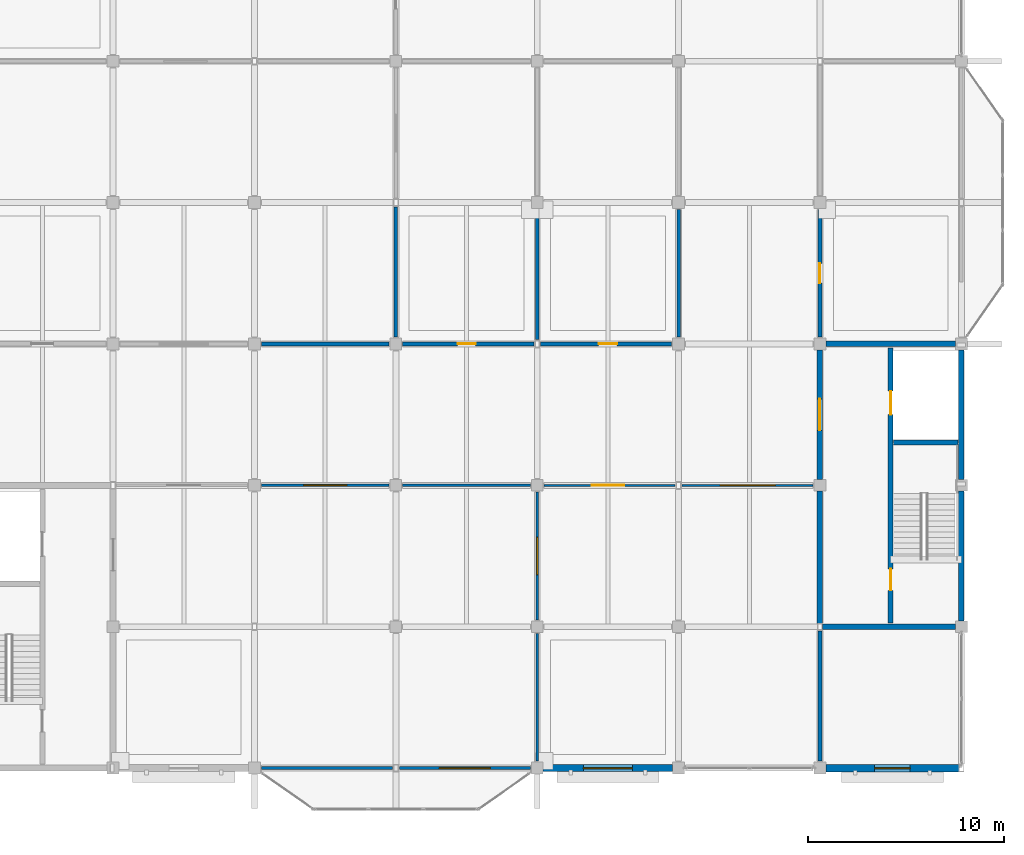
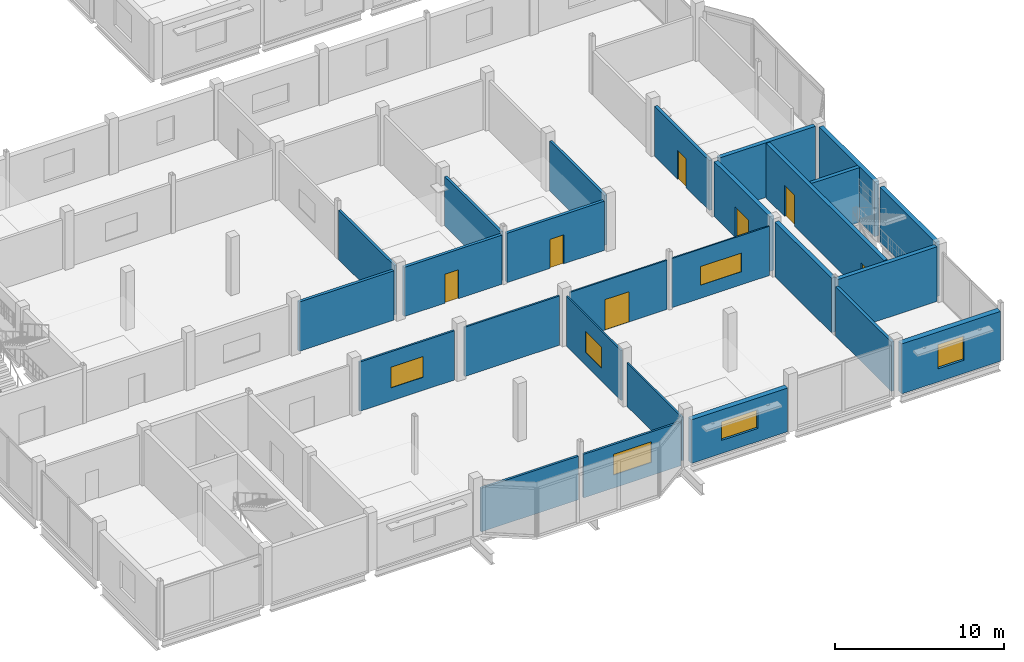
# One storey, part 38 of 51: 26 walls, 7 doors, 6 windows, 13 openings.
"""IFC4 building model written with IfcOpenShell, lengths in metres."""

import ifcopenshell
import ifcopenshell.guid

model = None  # the IFC model being written
_history = None  # IfcOwnerHistory: only IFC2X3 demands one
_inside = {}  # id of a spatial element -> (the spatial element, [elements in it])
_under = {}  # id of a project, library or spatial element -> (it, [spatial elements below it])
_declared = {}  # id of a project -> (the project, [libraries it declares])
_typed = {}  # id of a type object -> (the type object, [elements of that type])
_made_of = {}  # id of a material, layer set ... -> (it, [elements and type objects made of it])


def new_model(schema):
    """Start an empty IFC model of exactly this schema.

    Asked for "IFC4X3", IfcOpenShell would pick the latest addendum, in which some entities
    have other attributes; the version numbers below select the first issue.
    IFC2X3 requires an IfcOwnerHistory on every rooted entity: one is made here for all.
    """
    global model, _history
    if schema == "IFC4X3":
        model = ifcopenshell.file(schema_version=(4, 3, 0, 0))
    else:
        model = ifcopenshell.file(schema=schema)
    _inside.clear()
    _under.clear()
    _declared.clear()
    _typed.clear()
    _made_of.clear()
    _history = None
    if model.schema == "IFC2X3":
        org = make("IfcOrganization", Name="unknown")
        user = make(
            "IfcPersonAndOrganization",
            ThePerson=make("IfcPerson", FamilyName="unknown"),
            TheOrganization=org,
        )
        app = make(
            "IfcApplication",
            ApplicationDeveloper=org,
            Version="unknown",
            ApplicationFullName="unknown",
            ApplicationIdentifier="unknown",
        )
        _history = make(
            "IfcOwnerHistory",
            OwningUser=user,
            OwningApplication=app,
            ChangeAction="ADDED",
            CreationDate=0,
        )
    return model


def make(cls, **values):
    """One entity of the class cls with the attributes given. An attribute that is None is left unset."""
    return model.create_entity(
        cls, **{name: value for name, value in values.items() if value is not None}
    )


def rooted(cls, **values):
    """An entity with a GlobalId (a new one), such as an element, a storey or a relation."""
    return make(cls, GlobalId=ifcopenshell.guid.new(), OwnerHistory=_history, **values)


def si_unit(unit_type, name, prefix=None):
    """IfcSIUnit, for example si_unit("LENGTHUNIT", "METRE", prefix="MILLI")."""
    return make("IfcSIUnit", UnitType=unit_type, Prefix=prefix, Name=name)


def assignment(units):
    """IfcUnitAssignment: the units of a project."""
    return None if units is None else make("IfcUnitAssignment", Units=units)


def point(xyz):
    """IfcCartesianPoint."""
    return None if xyz is None else make("IfcCartesianPoint", Coordinates=xyz)


def direction(xyz):
    """IfcDirection."""
    return None if xyz is None else make("IfcDirection", DirectionRatios=xyz)


def frame(location, z_axis=None, x_axis=None):
    """IfcAxis2Placement3D, a coordinate frame: its origin and axes. An axis left out is left unset."""
    return make(
        "IfcAxis2Placement3D",
        Location=point(location),
        Axis=direction(z_axis),
        RefDirection=direction(x_axis),
    )


def frame_2d(location, x_axis=None):
    """IfcAxis2Placement2D, a coordinate frame in the plane: its origin and x axis."""
    return make(
        "IfcAxis2Placement2D", Location=point(location), RefDirection=direction(x_axis)
    )


def origin():
    """The frame at (0, 0, 0) with its axes left unset."""
    return frame((0.0, 0.0, 0.0))


def place(relative_to, where):
    """IfcLocalPlacement: puts the frame where relative to a parent placement (None: the world)."""
    return make(
        "IfcLocalPlacement", PlacementRelTo=relative_to, RelativePlacement=where
    )


def context(
    kind, dimensions, precision=None, world=None, true_north=None, identifier=None
):
    """IfcGeometricRepresentationContext, for example the 3D "Model" context."""
    return make(
        "IfcGeometricRepresentationContext",
        ContextIdentifier=identifier,
        ContextType=kind,
        CoordinateSpaceDimension=dimensions,
        Precision=precision,
        WorldCoordinateSystem=world,
        TrueNorth=true_north,
    )


def subcontext(parent, identifier, kind, view, scale=None):
    """IfcGeometricRepresentationSubContext, for example "Body" below "Model"."""
    return make(
        "IfcGeometricRepresentationSubContext",
        ContextIdentifier=identifier,
        ContextType=kind,
        ParentContext=parent,
        TargetScale=scale,
        TargetView=view,
    )


def project(units=None, contexts=None):
    """IfcProject with its units and contexts."""
    return rooted(
        "IfcProject",
        Name="project",
        RepresentationContexts=contexts,
        UnitsInContext=assignment(units),
    )


def spatial(cls, under=None, at=None, **own):
    """A site, building, storey or space (cls), placed at a placement, below another one or the project."""
    s = rooted(cls, ObjectPlacement=at, **own)
    if under is not None:
        _under.setdefault(under.id(), (under, []))[1].append(s)
    return s


def profile(cls, at=None, kind="AREA", **sizes):
    """A parametric profile (cls). Its sizes go by their IFC names, for example OverallWidth=200.0."""
    return make(cls, ProfileType=kind, Position=at, **sizes)


def rectangle(**sizes):
    """IfcRectangleProfileDef."""
    return profile("IfcRectangleProfileDef", **sizes)


def extrude(swept, where, along, depth):
    """IfcExtrudedAreaSolid: the profile swept, set in the frame where, extruded along a direction by depth."""
    return make(
        "IfcExtrudedAreaSolid",
        SweptArea=swept,
        Position=where,
        ExtrudedDirection=direction(along),
        Depth=depth,
    )


def shape(context_of_items, identifier, shape_type, items):
    """IfcShapeRepresentation: the items that make up one representation, for example the "Body"."""
    return make(
        "IfcShapeRepresentation",
        ContextOfItems=context_of_items,
        RepresentationIdentifier=identifier,
        RepresentationType=shape_type,
        Items=items,
    )


def material(Name=None, Category=None):
    """IfcMaterial."""
    return make("IfcMaterial", Name=Name, Category=Category)


def layer(
    of_material, thickness, ventilated=None, Name=None, Category=None, Priority=None
):
    """IfcMaterialLayer: one layer of a wall or slab, of a material (None: an air gap)."""
    return make(
        "IfcMaterialLayer",
        Material=of_material,
        LayerThickness=thickness,
        IsVentilated=ventilated,
        Name=Name,
        Category=Category,
        Priority=Priority,
    )


def layer_set(layers, Name=None):
    """IfcMaterialLayerSet."""
    return make("IfcMaterialLayerSet", MaterialLayers=layers, LayerSetName=Name)


def made_of(thing, what):
    """Note that an element or type object is made of a material, layer set ...; save() writes the relation."""
    if what is not None:
        _made_of.setdefault(what.id(), (what, []))[1].append(thing)
    return thing


def type_object(cls, material=None, **own):
    """A type object (cls), such as IfcWallType, which elements share."""
    return made_of(rooted(cls, **own), material)


def element(
    cls,
    number,
    at=None,
    inside=None,
    cuts=None,
    type_object=None,
    material=None,
    context=None,
    identifier="Body",
    shape_type=None,
    held_by="IfcProductDefinitionShape",
    body=None,
    shapes=None,
    **own,
):
    """One element of the class cls, such as IfcWall. Its Tag is "e" and its number.

    at: its placement. inside: the storey or other place that contains it. cuts: it is an
    opening in that element (IfcRelVoidsElement). A single representation is given by context,
    identifier, shape_type and body (its items); several are given by shapes. held_by: the class
    of the entity that holds the representations. save() writes the other relations.
    """
    e = rooted(cls, Tag="e%d" % number, ObjectPlacement=at, **own)
    if body is not None:
        shapes = [shape(context, identifier, shape_type, body)]
    if shapes is not None:
        e.Representation = make(held_by, Representations=shapes)
    if inside is not None:
        _inside.setdefault(inside.id(), (inside, []))[1].append(e)
    if cuts is not None:
        rooted(
            "IfcRelVoidsElement", RelatingBuildingElement=cuts, RelatedOpeningElement=e
        )
    if type_object is not None:
        _typed.setdefault(type_object.id(), (type_object, []))[1].append(e)
    return made_of(e, material)


def fill(opening, filler):
    """IfcRelFillsElement: the door or window that sits in an opening."""
    return rooted(
        "IfcRelFillsElement",
        RelatingOpeningElement=opening,
        RelatedBuildingElement=filler,
    )


def aggregate(whole, parts):
    """IfcRelAggregates: a whole, such as a stair, and the parts it consists of."""
    return rooted("IfcRelAggregates", RelatingObject=whole, RelatedObjects=parts)


def save(model, path):
    """Write the relations noted so far, then the file.

    IfcRelAggregates (storeys below a building ...), IfcRelContainedInSpatialStructure (elements
    in a storey), IfcRelDefinesByType, IfcRelAssociatesMaterial and IfcRelDeclares: one each for
    every whole, place, type object, material and project.
    """
    for whole, parts in _under.values():
        aggregate(whole, parts)
    for where, things in _inside.values():
        rooted(
            "IfcRelContainedInSpatialStructure",
            RelatedElements=things,
            RelatingStructure=where,
        )
    for kind, things in _typed.values():
        rooted("IfcRelDefinesByType", RelatedObjects=things, RelatingType=kind)
    for what, things in _made_of.values():
        rooted("IfcRelAssociatesMaterial", RelatedObjects=things, RelatingMaterial=what)
    for by, libraries in _declared.values():
        rooted("IfcRelDeclares", RelatingContext=by, RelatedDefinitions=libraries)
    model.write(path)


model = new_model("IFC4")

# Units and contexts
model_context = context("Model", 3, precision=1e-05, world=origin(), true_north=direction((0.0, 1.0)))
body_context = subcontext(model_context, "Body", "Model", "MODEL_VIEW")
ifc_project = project(units=[si_unit("LENGTHUNIT", "METRE"), si_unit("AREAUNIT", "SQUARE_METRE"), si_unit("VOLUMEUNIT", "CUBIC_METRE"), si_unit("PLANEANGLEUNIT", "RADIAN"), si_unit("MASSUNIT", "GRAM", prefix="KILO")], contexts=[model_context])

# Site, building, storey
site_placement = place(None, origin())
site = spatial("IfcSite", under=ifc_project, at=site_placement, CompositionType="ELEMENT")
building_placement = place(site_placement, origin())
building = spatial("IfcBuilding", under=site, at=building_placement, Name="Vesperath Aquatics Centre", CompositionType="ELEMENT")
storey_placement = place(building_placement, frame((0.0, 0.0, 15.0)))
storey = spatial("IfcBuildingStorey", under=building, at=storey_placement, Name="L03", CompositionType="ELEMENT", Elevation=15.0)

# Wall, opening, window
ifc_material_1 = material(Name="Red-terracotta brick insulated cavity wall", Category="masonry")
ifc_layer_1 = layer(ifc_material_1, 0.3798828125)
ifc_layer_set_1 = layer_set([ifc_layer_1], Name="Red-terracotta brick insulated cavity wall")
wall_type_1 = type_object("IfcWallType", Name="WL-EW02", PredefinedType="SOLIDWALL", material=ifc_layer_set_1)
wall_1_placement = place(storey_placement, frame((165.89990234375, 0.0, 0.0), z_axis=(0.0, 0.0, 1.0), x_axis=(1.0, 0.0, 0.0)))
wall_1 = element("IfcWall", 1, at=wall_1_placement, inside=storey, type_object=wall_type_1, Name="Exterior Wall EW02 L03_S_23_00", PredefinedType="SOLIDWALL", context=body_context, shape_type="SweptSolid", body=[
    extrude(rectangle(XDim=6.775146484375, YDim=0.3798828125, at=frame_2d((3.3876953125, 0.0))), origin(), (0.0, 0.0, 1.0), 3.6201171875),
])
opening_1_placement = place(wall_1_placement, frame((2.488037109375, 0.0, 0.949951171875)))
opening_1 = element("IfcOpeningElement", 2, at=opening_1_placement, cuts=wall_1, Name="Opening W12", PredefinedType="OPENING", context=body_context, shape_type="SweptSolid", body=[
    extrude(rectangle(XDim=1.800048828125, YDim=1.75, at=frame_2d((0.89990234375, 0.875))), frame((0.0, 0.204833984375, 0.0), z_axis=(0.0, -1.0, 0.0), x_axis=(1.0, 0.0, 0.0)), (0.0, 0.0, 1.0), 0.40966796875),
])
ifc_material_2 = material(Name="Thermally broken aluminium triple-glazed window", Category="aluminium")
window_type_1 = type_object("IfcWindowType", Name="WN-W12", PartitioningType="SINGLE_PANEL", PredefinedType="WINDOW", material=ifc_material_2)
window_1_placement = place(opening_1_placement, origin())
window_1 = element("IfcWindow", 3, at=window_1_placement, inside=storey, type_object=window_type_1, Name="Deep-Reveal Casement Window W12 L03_S_23_00", OverallHeight=1.75, OverallWidth=1.800048828125, PartitioningType="SINGLE_PANEL", PredefinedType="WINDOW", context=body_context, shape_type="SweptSolid", body=[
    extrude(rectangle(XDim=1.800048828125, YDim=1.75, at=frame_2d((0.89990234375, 0.875))), frame((0.0, 0.030029296875, 0.0), z_axis=(0.0, -1.0, 0.0), x_axis=(1.0, 0.0, 0.0)), (0.0, 0.0, 1.0), 0.06005859375),
])
fill(opening_1, window_1)

ifc_material_3 = material(Name="Glazed majolica and brick insulated cavity wall", Category="masonry")
ifc_layer_2 = layer(ifc_material_3, 0.360107421875)
ifc_layer_set_2 = layer_set([ifc_layer_2], Name="Glazed majolica and brick insulated cavity wall")
wall_type_2 = type_object("IfcWallType", Name="WL-EW03", PredefinedType="SOLIDWALL", material=ifc_layer_set_2)
wall_2_placement = place(storey_placement, frame((151.5, 0.0, 0.0), z_axis=(0.0, 0.0, 1.0), x_axis=(1.0, 0.0, 0.0)))
wall_2 = element("IfcWall", 4, at=wall_2_placement, inside=storey, type_object=wall_type_2, Name="Exterior Wall EW03 L03_S_21_00", PredefinedType="SOLIDWALL", context=body_context, shape_type="SweptSolid", body=[
    extrude(rectangle(XDim=6.60009765625, YDim=0.360107421875, at=frame_2d((3.300048828125, 0.0))), origin(), (0.0, 0.0, 1.0), 3.159912109375),
])
opening_2_placement = place(wall_2_placement, frame((2.050048828125, 0.0, 0.949951171875)))
opening_2 = element("IfcOpeningElement", 5, at=opening_2_placement, cuts=wall_2, Name="Opening W16", PredefinedType="OPENING", context=body_context, shape_type="SweptSolid", body=[
    extrude(rectangle(XDim=2.5, YDim=1.35009765625, at=frame_2d((1.25, 0.675048828125))), frame((0.0, 0.19482421875, 0.0), z_axis=(0.0, -1.0, 0.0), x_axis=(1.0, 0.0, 0.0)), (0.0, 0.0, 1.0), 0.389892578125),
])
window_type_2 = type_object("IfcWindowType", Name="WN-W16", PartitioningType="SINGLE_PANEL", PredefinedType="WINDOW", material=ifc_material_2)
window_2_placement = place(opening_2_placement, origin())
window_2 = element("IfcWindow", 6, at=window_2_placement, inside=storey, type_object=window_type_2, Name="Deep-Reveal Casement Window W16 L03_S_21_00", OverallHeight=1.35009765625, OverallWidth=2.5, PartitioningType="SINGLE_PANEL", PredefinedType="WINDOW", context=body_context, shape_type="SweptSolid", body=[
    extrude(rectangle(XDim=2.5, YDim=1.35009765625, at=frame_2d((1.25, 0.675048828125))), frame((0.0, 0.030029296875, 0.0), z_axis=(0.0, -1.0, 0.0), x_axis=(1.0, 0.0, 0.0)), (0.0, 0.0, 1.0), 0.06005859375),
])
fill(opening_2, window_2)

# Wall
ifc_material_4 = material(Name="Wet-village masonry block wall", Category="masonry")
ifc_layer_3 = layer(ifc_material_4, 0.199951171875)
ifc_layer_set_3 = layer_set([ifc_layer_3], Name="Wet-village masonry block wall")
wall_type_3 = type_object("IfcWallType", Name="WL-FW03", PredefinedType="SOLIDWALL", material=ifc_layer_set_3)
wall_3_placement = place(storey_placement, frame((137.14990234375, 21.60009765625, 0.0), z_axis=(0.0, 0.0, 1.0), x_axis=(1.0, 0.0, 0.0)))
element("IfcWall", 7, at=wall_3_placement, inside=storey, type_object=wall_type_3, Name="Interior Partition FW03 L03_BIOMECH-S3", PredefinedType="SOLIDWALL", context=body_context, shape_type="SweptSolid", body=[
    extrude(rectangle(XDim=6.5, YDim=0.199951171875, at=frame_2d((3.25, 0.0))), origin(), (0.0, 0.0, 1.0), 3.570068359375),
])

# Wall, opening, door
wall_4_placement = place(storey_placement, frame((144.35009765625, 21.60009765625, 0.0), z_axis=(0.0, 0.0, 1.0), x_axis=(1.0, 0.0, 0.0)))
wall_4 = element("IfcWall", 8, at=wall_4_placement, inside=storey, type_object=wall_type_3, Name="Interior Partition FW03 L03_MWC-S1", PredefinedType="SOLIDWALL", context=body_context, shape_type="SweptSolid", body=[
    extrude(rectangle(XDim=6.6748046875, YDim=0.199951171875, at=frame_2d((3.33740234375, 0.0))), origin(), (0.0, 0.0, 1.0), 3.570068359375),
])
opening_3_placement = place(wall_4_placement, frame((2.7900390625, 0.0, 0.0)))
opening_3 = element("IfcOpeningElement", 9, at=opening_3_placement, cuts=wall_4, Name="Opening D08", PredefinedType="OPENING", context=body_context, shape_type="SweptSolid", body=[
    extrude(rectangle(XDim=0.919921875, YDim=2.10009765625, at=frame_2d((0.4599609375, 1.050048828125))), frame((0.0, 0.11474609375, 0.0), z_axis=(0.0, -1.0, 0.0), x_axis=(1.0, 0.0, 0.0)), (0.0, 0.0, 1.0), 0.229736328125),
])
ifc_material_5 = material(Name="Moisture-resistant HPL washroom door", Category="wood")
door_type_1 = type_object("IfcDoorType", Name="DR-WC03", OperationType="NOTDEFINED", PredefinedType="DOOR", material=ifc_material_5)
door_1_placement = place(opening_3_placement, origin())
door_1 = element("IfcDoor", 10, at=door_1_placement, inside=storey, type_object=door_type_1, Name="Public Male WC L03 Door D08", OperationType="SINGLE_SWING_LEFT", OverallHeight=2.10009765625, OverallWidth=0.919921875, PredefinedType="DOOR", context=body_context, shape_type="SweptSolid", body=[
    extrude(rectangle(XDim=0.919921875, YDim=2.10009765625, at=frame_2d((0.4599609375, 1.050048828125))), frame((0.0, 0.02490234375, 0.0), z_axis=(0.0, -1.0, 0.0), x_axis=(1.0, 0.0, 0.0)), (0.0, 0.0, 1.0), 0.050048828125),
])
fill(opening_3, door_1)

wall_5_placement = place(storey_placement, frame((151.375, 21.60009765625, 0.0), z_axis=(0.0, 0.0, 1.0), x_axis=(1.0, 0.0, 0.0)))
wall_5 = element("IfcWall", 11, at=wall_5_placement, inside=storey, type_object=wall_type_3, Name="Interior Partition FW03 L03_FWC-S1", PredefinedType="SOLIDWALL", context=body_context, shape_type="SweptSolid", body=[
    extrude(rectangle(XDim=6.675048828125, YDim=0.199951171875, at=frame_2d((3.33740234375, 0.0))), origin(), (0.0, 0.0, 1.0), 3.570068359375),
])
opening_4_placement = place(wall_5_placement, frame((2.949951171875, 0.0, 0.0)))
opening_4 = element("IfcOpeningElement", 12, at=opening_4_placement, cuts=wall_5, Name="Opening D07", PredefinedType="OPENING", context=body_context, shape_type="SweptSolid", body=[
    extrude(rectangle(XDim=0.949951171875, YDim=2.10009765625, at=frame_2d((0.47509765625, 1.050048828125))), frame((0.0, 0.11474609375, 0.0), z_axis=(0.0, -1.0, 0.0), x_axis=(1.0, 0.0, 0.0)), (0.0, 0.0, 1.0), 0.229736328125),
])
ifc_material_6 = material(Name="Moisture-resistant HPL sanitary door", Category="wood")
door_type_2 = type_object("IfcDoorType", Name="DR-WC02", OperationType="NOTDEFINED", PredefinedType="DOOR", material=ifc_material_6)
door_2_placement = place(opening_4_placement, origin())
door_2 = element("IfcDoor", 13, at=door_2_placement, inside=storey, type_object=door_type_2, Name="Public Female WC L03 Door D07", OperationType="SINGLE_SWING_RIGHT", OverallHeight=2.10009765625, OverallWidth=0.949951171875, PredefinedType="DOOR", context=body_context, shape_type="SweptSolid", body=[
    extrude(rectangle(XDim=0.949951171875, YDim=2.10009765625, at=frame_2d((0.47509765625, 1.050048828125))), frame((0.0, 0.02490234375, 0.0), z_axis=(0.0, -1.0, 0.0), x_axis=(1.0, 0.0, 0.0)), (0.0, 0.0, 1.0), 0.050048828125),
])
fill(opening_4, door_2)

wall_6_placement = place(storey_placement, frame((165.60009765625, 21.949951171875, 0.0), z_axis=(0.0, 0.0, 1.0), x_axis=(0.0, 1.0, 0.0)))
wall_6 = element("IfcWall", 14, at=wall_6_placement, inside=storey, type_object=wall_type_3, Name="Interior Partition FW03 L03_AWC-W1", PredefinedType="SOLIDWALL", context=body_context, shape_type="SweptSolid", body=[
    extrude(rectangle(XDim=6.5, YDim=0.199951171875, at=frame_2d((3.25, 0.0))), origin(), (0.0, 0.0, 1.0), 3.6201171875),
])
opening_5_placement = place(wall_6_placement, frame((2.75, 0.0, 0.0)))
opening_5 = element("IfcOpeningElement", 15, at=opening_5_placement, cuts=wall_6, Name="Opening D06", PredefinedType="OPENING", context=body_context, shape_type="SweptSolid", body=[
    extrude(rectangle(XDim=1.0, YDim=2.10009765625, at=frame_2d((0.5, 1.050048828125))), frame((0.0, 0.11474609375, 0.0), z_axis=(0.0, -1.0, 0.0), x_axis=(1.0, 0.0, 0.0)), (0.0, 0.0, 1.0), 0.229736328125),
])
ifc_material_7 = material(Name="Moisture-resistant HPL accessible toilet door", Category="wood")
door_type_3 = type_object("IfcDoorType", Name="DR-WC01", OperationType="NOTDEFINED", PredefinedType="DOOR", material=ifc_material_7)
door_3_placement = place(opening_5_placement, frame((1.0, 0.0, 0.0), z_axis=(0.0, 0.0, 1.0), x_axis=(-1.0, 0.0, 0.0)))
door_3 = element("IfcDoor", 16, at=door_3_placement, inside=storey, type_object=door_type_3, Name="Accessible WC L03 Door D06", OperationType="SINGLE_SWING_LEFT", OverallHeight=2.10009765625, OverallWidth=1.0, PredefinedType="DOOR", context=body_context, shape_type="SweptSolid", body=[
    extrude(rectangle(XDim=1.0, YDim=2.10009765625, at=frame_2d((0.5, 1.050048828125))), frame((0.0, 0.02490234375, 0.0), z_axis=(0.0, -1.0, 0.0), x_axis=(1.0, 0.0, 0.0)), (0.0, 0.0, 1.0), 0.050048828125),
])
fill(opening_5, door_3)

# Walls
ifc_material_8 = material(Name="Moisture-resistant tiled wet partition", Category="gypsum")
ifc_layer_4 = layer(ifc_material_8, 0.175048828125)
ifc_layer_set_4 = layer_set([ifc_layer_4], Name="Moisture-resistant tiled wet partition")
wall_type_4 = type_object("IfcWallType", Name="WL-IW02", PredefinedType="PARTITIONING", material=ifc_layer_set_4)
wall_7_placement = place(storey_placement, frame((151.199951171875, 21.824951171875, 0.0), z_axis=(0.0, 0.0, 1.0), x_axis=(0.0, 1.0, 0.0)))
element("IfcWall", 17, at=wall_7_placement, inside=storey, type_object=wall_type_4, Name="Interior Partition IW02 L03_MWC-E1", PredefinedType="PARTITIONING", context=body_context, shape_type="SweptSolid", body=[
    extrude(rectangle(XDim=6.625, YDim=0.175048828125, at=frame_2d((3.3125, 0.0))), origin(), (0.0, 0.0, 1.0), 3.570068359375),
])
wall_8_placement = place(storey_placement, frame((158.39990234375, 21.949951171875, 0.0), z_axis=(0.0, 0.0, 1.0), x_axis=(0.0, 1.0, 0.0)))
element("IfcWall", 18, at=wall_8_placement, inside=storey, type_object=wall_type_4, Name="Interior Partition IW02 L03_FWC-E1", PredefinedType="PARTITIONING", context=body_context, shape_type="SweptSolid", body=[
    extrude(rectangle(XDim=6.5, YDim=0.175048828125, at=frame_2d((3.25, 0.0))), origin(), (0.0, 0.0, 1.0), 3.6201171875),
])
ifc_material_9 = material(Name="Corridor fire-rated gypsum partition", Category="gypsum")
ifc_layer_5 = layer(ifc_material_9, 0.16796875)
ifc_layer_set_5 = layer_set([ifc_layer_5], Name="Corridor fire-rated gypsum partition")
wall_type_5 = type_object("IfcWallType", Name="WL-IW03", PredefinedType="PARTITIONING", material=ifc_layer_set_5)
wall_9_placement = place(storey_placement, frame((144.0, 21.949951171875, 0.0), z_axis=(0.0, 0.0, 1.0), x_axis=(0.0, 1.0, 0.0)))
element("IfcWall", 19, at=wall_9_placement, inside=storey, type_object=wall_type_5, Name="Interior Partition IW03 L03_BIOMECH-E1", PredefinedType="PARTITIONING", context=body_context, shape_type="SweptSolid", body=[
    extrude(rectangle(XDim=6.625, YDim=0.16796875, at=frame_2d((3.3125, 0.0))), origin(), (0.0, 0.0, 1.0), 3.570068359375),
])
ifc_material_10 = material(Name="Laboratory clean partition", Category="gypsum")
ifc_layer_6 = layer(ifc_material_10, 0.152099609375)
ifc_layer_set_6 = layer_set([ifc_layer_6], Name="Laboratory clean partition")
wall_type_6 = type_object("IfcWallType", Name="WL-IW05", PredefinedType="PARTITIONING", material=ifc_layer_set_6)
wall_10_placement = place(storey_placement, frame((137.14990234375, 0.0, 0.0), z_axis=(0.0, 0.0, 1.0), x_axis=(1.0, 0.0, 0.0)))
element("IfcWall", 20, at=wall_10_placement, inside=storey, type_object=wall_type_6, Name="Interior Partition IW05 L03_YOGA-S1", PredefinedType="PARTITIONING", context=body_context, shape_type="SweptSolid", body=[
    extrude(rectangle(XDim=6.675048828125, YDim=0.152099609375, at=frame_2d((3.33740234375, 0.0))), origin(), (0.0, 0.0, 1.0), 3.159912109375),
])

# Wall, opening, window
ifc_material_11 = material(Name="Classroom acoustic partition", Category="gypsum")
ifc_layer_7 = layer(ifc_material_11, 0.14501953125)
ifc_layer_set_7 = layer_set([ifc_layer_7], Name="Classroom acoustic partition")
wall_type_7 = type_object("IfcWallType", Name="WL-IW06", PredefinedType="PARTITIONING", material=ifc_layer_set_7)
wall_11_placement = place(storey_placement, frame((144.175048828125, 0.0, 0.0), z_axis=(0.0, 0.0, 1.0), x_axis=(1.0, 0.0, 0.0)))
wall_11 = element("IfcWall", 21, at=wall_11_placement, inside=storey, type_object=wall_type_7, Name="Interior Partition IW06 L03_YOGA-S2", PredefinedType="PARTITIONING", context=body_context, shape_type="SweptSolid", body=[
    extrude(rectangle(XDim=6.675048828125, YDim=0.14501953125, at=frame_2d((3.33740234375, 0.0))), origin(), (0.0, 0.0, 1.0), 3.159912109375),
])
opening_6_placement = place(wall_11_placement, frame((2.037109375, 0.0, 0.949951171875)))
opening_6 = element("IfcOpeningElement", 22, at=opening_6_placement, cuts=wall_11, Name="Opening VW02", PredefinedType="OPENING", context=body_context, shape_type="SweptSolid", body=[
    extrude(rectangle(XDim=2.60009765625, YDim=1.5, at=frame_2d((1.300048828125, 0.75))), frame((0.0, 0.08740234375, 0.0), z_axis=(0.0, -1.0, 0.0), x_axis=(1.0, 0.0, 0.0)), (0.0, 0.0, 1.0), 0.1748046875),
])
ifc_material_12 = material(Name="Acoustic laminated interior viewing glazing", Category="glass")
window_type_3 = type_object("IfcWindowType", Name="WN-IW02", PartitioningType="SINGLE_PANEL", PredefinedType="WINDOW", material=ifc_material_12)
window_3_placement = place(opening_6_placement, origin())
window_3 = element("IfcWindow", 23, at=window_3_placement, inside=storey, type_object=window_type_3, Name="Interior Viewing Window VW02 L03_YOGA", OverallHeight=1.5, OverallWidth=2.60009765625, PartitioningType="SINGLE_PANEL", PredefinedType="WINDOW", context=body_context, shape_type="SweptSolid", body=[
    extrude(rectangle(XDim=2.60009765625, YDim=1.5, at=frame_2d((1.300048828125, 0.75))), frame((0.0, 0.030029296875, 0.0), z_axis=(0.0, -1.0, 0.0), x_axis=(1.0, 0.0, 0.0)), (0.0, 0.0, 1.0), 0.06005859375),
])
fill(opening_6, window_3)

ifc_material_13 = material(Name="Sanitary plumbing wall", Category="gypsum")
ifc_layer_8 = layer(ifc_material_13, 0.1298828125)
ifc_layer_set_8 = layer_set([ifc_layer_8], Name="Sanitary plumbing wall")
wall_type_8 = type_object("IfcWallType", Name="WL-IW08", PredefinedType="PARTITIONING", material=ifc_layer_set_8)
wall_12_placement = place(storey_placement, frame((137.14990234375, 14.39990234375, 0.0), z_axis=(0.0, 0.0, 1.0), x_axis=(1.0, 0.0, 0.0)))
wall_12 = element("IfcWall", 24, at=wall_12_placement, inside=storey, type_object=wall_type_8, Name="Interior Partition IW08 L03_YOGA-N2", PredefinedType="PARTITIONING", context=body_context, shape_type="SweptSolid", body=[
    extrude(rectangle(XDim=6.5, YDim=0.1298828125, at=frame_2d((3.25, 0.0))), origin(), (0.0, 0.0, 1.0), 3.570068359375),
])
opening_7_placement = place(wall_12_placement, frame((2.14990234375, 0.0, 0.949951171875)))
opening_7 = element("IfcOpeningElement", 25, at=opening_7_placement, cuts=wall_12, Name="Opening VW03", PredefinedType="OPENING", context=body_context, shape_type="SweptSolid", body=[
    extrude(rectangle(XDim=2.199951171875, YDim=1.5, at=frame_2d((1.10009765625, 0.75))), frame((0.0, 0.079833984375, 0.0), z_axis=(0.0, -1.0, 0.0), x_axis=(1.0, 0.0, 0.0)), (0.0, 0.0, 1.0), 0.15966796875),
])
window_type_4 = type_object("IfcWindowType", Name="WN-IW03", PartitioningType="SINGLE_PANEL", PredefinedType="WINDOW", material=ifc_material_12)
window_4_placement = place(opening_7_placement, origin())
window_4 = element("IfcWindow", 26, at=window_4_placement, inside=storey, type_object=window_type_4, Name="Interior Viewing Window VW03 L03_YOGA", OverallHeight=1.5, OverallWidth=2.199951171875, PartitioningType="SINGLE_PANEL", PredefinedType="WINDOW", context=body_context, shape_type="SweptSolid", body=[
    extrude(rectangle(XDim=2.199951171875, YDim=1.5, at=frame_2d((1.10009765625, 0.75))), frame((0.0, 0.030029296875, 0.0), z_axis=(0.0, -1.0, 0.0), x_axis=(1.0, 0.0, 0.0)), (0.0, 0.0, 1.0), 0.06005859375),
])
fill(opening_7, window_4)

# Walls
ifc_material_14 = material(Name="Office dry-lined partition", Category="gypsum")
ifc_layer_9 = layer(ifc_material_14, 0.1220703125)
ifc_layer_set_9 = layer_set([ifc_layer_9], Name="Office dry-lined partition")
wall_type_9 = type_object("IfcWallType", Name="WL-IW09", PredefinedType="PARTITIONING", material=ifc_layer_set_9)
wall_13_placement = place(storey_placement, frame((144.35009765625, 14.39990234375, 0.0), z_axis=(0.0, 0.0, 1.0), x_axis=(1.0, 0.0, 0.0)))
element("IfcWall", 27, at=wall_13_placement, inside=storey, type_object=wall_type_9, Name="Interior Partition IW09 L03_YOGA-N3", PredefinedType="PARTITIONING", context=body_context, shape_type="SweptSolid", body=[
    extrude(rectangle(XDim=6.5, YDim=0.1220703125, at=frame_2d((3.25, 0.0))), origin(), (0.0, 0.0, 1.0), 3.570068359375),
])
ifc_material_15 = material(Name="Store dry-lined partition", Category="gypsum")
ifc_layer_10 = layer(ifc_material_15, 0.114990234375)
ifc_layer_set_10 = layer_set([ifc_layer_10], Name="Store dry-lined partition")
wall_type_10 = type_object("IfcWallType", Name="WL-IW10", PredefinedType="PARTITIONING", material=ifc_layer_set_10)
wall_14_placement = place(storey_placement, frame((151.199951171875, 0.35009765625, 0.0), z_axis=(0.0, 0.0, 1.0), x_axis=(0.0, 1.0, 0.0)))
element("IfcWall", 28, at=wall_14_placement, inside=storey, type_object=wall_type_10, Name="Interior Partition IW10 L03_YOGA-E1", PredefinedType="PARTITIONING", context=body_context, shape_type="SweptSolid", body=[
    extrude(rectangle(XDim=6.5, YDim=0.114990234375, at=frame_2d((3.25, 0.0))), origin(), (0.0, 0.0, 1.0), 3.159912109375),
])

# Wall, opening, window
ifc_material_16 = material(Name="Kiosk counter partition", Category="gypsum")
ifc_layer_11 = layer(ifc_material_16, 0.10791015625)
ifc_layer_set_11 = layer_set([ifc_layer_11], Name="Kiosk counter partition")
wall_type_11 = type_object("IfcWallType", Name="WL-IW11", PredefinedType="PARTITIONING", material=ifc_layer_set_11)
wall_15_placement = place(storey_placement, frame((151.199951171875, 7.550048828125, 0.0), z_axis=(0.0, 0.0, 1.0), x_axis=(0.0, 1.0, 0.0)))
wall_15 = element("IfcWall", 29, at=wall_15_placement, inside=storey, type_object=wall_type_11, Name="Interior Partition IW11 L03_YOGA-E2", PredefinedType="PARTITIONING", context=body_context, shape_type="SweptSolid", body=[
    extrude(rectangle(XDim=6.5, YDim=0.10791015625, at=frame_2d((3.25, 0.0))), origin(), (0.0, 0.0, 1.0), 3.6201171875),
])
opening_8_placement = place(wall_15_placement, frame((2.300048828125, 0.0, 0.949951171875)))
opening_8 = element("IfcOpeningElement", 30, at=opening_8_placement, cuts=wall_15, Name="Opening VW04", PredefinedType="OPENING", context=body_context, shape_type="SweptSolid", body=[
    extrude(rectangle(XDim=1.89990234375, YDim=1.5, at=frame_2d((0.949951171875, 0.75))), frame((0.0, 0.06884765625, 0.0), z_axis=(0.0, -1.0, 0.0), x_axis=(1.0, 0.0, 0.0)), (0.0, 0.0, 1.0), 0.1376953125),
])
window_type_5 = type_object("IfcWindowType", Name="WN-IW04", PartitioningType="SINGLE_PANEL", PredefinedType="WINDOW", material=ifc_material_12)
window_5_placement = place(opening_8_placement, origin())
window_5 = element("IfcWindow", 31, at=window_5_placement, inside=storey, type_object=window_type_5, Name="Interior Viewing Window VW04 L03_YOGA", OverallHeight=1.5, OverallWidth=1.89990234375, PartitioningType="SINGLE_PANEL", PredefinedType="WINDOW", context=body_context, shape_type="SweptSolid", body=[
    extrude(rectangle(XDim=1.89990234375, YDim=1.5, at=frame_2d((0.949951171875, 0.75))), frame((0.0, 0.030029296875, 0.0), z_axis=(0.0, -1.0, 0.0), x_axis=(1.0, 0.0, 0.0)), (0.0, 0.0, 1.0), 0.06005859375),
])
fill(opening_8, window_5)

# Wall, opening, door
ifc_material_17 = material(Name="Light room sub-partition", Category="gypsum")
ifc_layer_12 = layer(ifc_material_17, 0.10009765625)
ifc_layer_set_12 = layer_set([ifc_layer_12], Name="Light room sub-partition")
wall_type_12 = type_object("IfcWallType", Name="WL-IW12", PredefinedType="PARTITIONING", material=ifc_layer_set_12)
wall_16_placement = place(storey_placement, frame((151.550048828125, 14.39990234375, 0.0), z_axis=(0.0, 0.0, 1.0), x_axis=(1.0, 0.0, 0.0)))
wall_16 = element("IfcWall", 32, at=wall_16_placement, inside=storey, type_object=wall_type_12, Name="Interior Partition IW12 L03_VO2_LAB-N1", PredefinedType="PARTITIONING", context=body_context, shape_type="SweptSolid", body=[
    extrude(rectangle(XDim=6.675048828125, YDim=0.10009765625, at=frame_2d((3.33740234375, 0.0))), origin(), (0.0, 0.0, 1.0), 3.570068359375),
])
opening_9_placement = place(wall_16_placement, frame((2.425048828125, 0.0, 0.0)))
opening_9 = element("IfcOpeningElement", 33, at=opening_9_placement, cuts=wall_16, Name="Opening D10", PredefinedType="OPENING", context=body_context, shape_type="SweptSolid", body=[
    extrude(rectangle(XDim=1.64990234375, YDim=2.199951171875, at=frame_2d((0.824951171875, 1.10009765625))), frame((0.0, 0.06494140625, 0.0), z_axis=(0.0, -1.0, 0.0), x_axis=(1.0, 0.0, 0.0)), (0.0, 0.0, 1.0), 0.1298828125),
])
ifc_material_18 = material(Name="Team changing double fire door", Category="steel")
door_type_4 = type_object("IfcDoorType", Name="DR-RM02", OperationType="DOUBLE_SWING_LEFT", PredefinedType="DOOR", material=ifc_material_18)
door_4_placement = place(opening_9_placement, frame((1.64990234375, 0.0, 0.0), z_axis=(0.0, 0.0, 1.0), x_axis=(-1.0, 0.0, 0.0)))
door_4 = element("IfcDoor", 34, at=door_4_placement, inside=storey, type_object=door_type_4, Name="VO2-Max Cardiopulmonary Testing Laboratory Door D10", OperationType="DOUBLE_SWING_LEFT", OverallHeight=2.199951171875, OverallWidth=1.64990234375, PredefinedType="DOOR", context=body_context, shape_type="SweptSolid", body=[
    extrude(rectangle(XDim=1.64990234375, YDim=2.199951171875, at=frame_2d((0.824951171875, 1.10009765625))), frame((0.0, 0.02490234375, 0.0), z_axis=(0.0, -1.0, 0.0), x_axis=(1.0, 0.0, 0.0)), (0.0, 0.0, 1.0), 0.050048828125),
])
fill(opening_9, door_4)

# Wall, opening, window
ifc_material_19 = material(Name="Poolside glazed screen partition", Category="gypsum")
ifc_layer_13 = layer(ifc_material_19, 0.094970703125)
ifc_layer_set_13 = layer_set([ifc_layer_13], Name="Poolside glazed screen partition")
wall_type_13 = type_object("IfcWallType", Name="WL-IW13", PredefinedType="PARTITIONING", material=ifc_layer_set_13)
wall_17_placement = place(storey_placement, frame((158.574951171875, 14.39990234375, 0.0), z_axis=(0.0, 0.0, 1.0), x_axis=(1.0, 0.0, 0.0)))
wall_17 = element("IfcWall", 35, at=wall_17_placement, inside=storey, type_object=wall_type_13, Name="Interior Partition IW13 L03_VO2_LAB-N2", PredefinedType="PARTITIONING", context=body_context, shape_type="SweptSolid", body=[
    extrude(rectangle(XDim=6.675048828125, YDim=0.094970703125, at=frame_2d((3.33740234375, 0.0))), origin(), (0.0, 0.0, 1.0), 3.570068359375),
])
opening_10_placement = place(wall_17_placement, frame((1.93798828125, 0.0, 0.949951171875)))
opening_10 = element("IfcOpeningElement", 36, at=opening_10_placement, cuts=wall_17, Name="Opening VW05", PredefinedType="OPENING", context=body_context, shape_type="SweptSolid", body=[
    extrude(rectangle(XDim=2.800048828125, YDim=1.35009765625, at=frame_2d((1.39990234375, 0.675048828125))), frame((0.0, 0.0625, 0.0), z_axis=(0.0, -1.0, 0.0), x_axis=(1.0, 0.0, 0.0)), (0.0, 0.0, 1.0), 0.124755859375),
])
window_type_6 = type_object("IfcWindowType", Name="WN-IW05", PartitioningType="SINGLE_PANEL", PredefinedType="WINDOW", material=ifc_material_12)
window_6_placement = place(opening_10_placement, origin())
window_6 = element("IfcWindow", 37, at=window_6_placement, inside=storey, type_object=window_type_6, Name="Interior Viewing Window VW05 L03_VO2_LAB", OverallHeight=1.35009765625, OverallWidth=2.800048828125, PartitioningType="SINGLE_PANEL", PredefinedType="WINDOW", context=body_context, shape_type="SweptSolid", body=[
    extrude(rectangle(XDim=2.800048828125, YDim=1.35009765625, at=frame_2d((1.39990234375, 0.675048828125))), frame((0.0, 0.030029296875, 0.0), z_axis=(0.0, -1.0, 0.0), x_axis=(1.0, 0.0, 0.0)), (0.0, 0.0, 1.0), 0.06005859375),
])
fill(opening_10, window_6)

# Walls
ifc_material_20 = material(Name="Shaft enclosure fire partition", Category="gypsum")
ifc_layer_14 = layer(ifc_material_20, 0.195068359375)
ifc_layer_set_14 = layer_set([ifc_layer_14], Name="Shaft enclosure fire partition")
wall_type_14 = type_object("IfcWallType", Name="WL-IW14", PredefinedType="PARTITIONING", material=ifc_layer_set_14)
wall_18_placement = place(storey_placement, frame((165.60009765625, 0.35009765625, 0.0), z_axis=(0.0, 0.0, 1.0), x_axis=(0.0, 1.0, 0.0)))
element("IfcWall", 38, at=wall_18_placement, inside=storey, type_object=wall_type_14, Name="Interior Partition IW14 L03_VO2_LAB-E1", PredefinedType="PARTITIONING", context=body_context, shape_type="SweptSolid", body=[
    extrude(rectangle(XDim=6.625, YDim=0.195068359375, at=frame_2d((3.3125, 0.0))), origin(), (0.0, 0.0, 1.0), 3.570068359375),
])
ifc_material_21 = material(Name="Concrete C40", Category="concrete")
ifc_layer_15 = layer(ifc_material_21, 0.280029296875)
ifc_layer_set_15 = layer_set([ifc_layer_15], Name="Concrete C40")
wall_type_15 = type_object("IfcWallType", Name="WL-SW02", PredefinedType="SHEAR", material=ifc_layer_set_15)
wall_19_placement = place(storey_placement, frame((165.72509765625, 7.199951171875, 0.0), z_axis=(0.0, 0.0, 1.0), x_axis=(1.0, 0.0, 0.0)))
element("IfcWall", 39, at=wall_19_placement, inside=storey, type_object=wall_type_15, Name="Core C6 South Shear Wall SW02 L03", PredefinedType="SHEAR", context=body_context, shape_type="SweptSolid", body=[
    extrude(rectangle(XDim=6.77490234375, YDim=0.280029296875, at=frame_2d((3.387451171875, 0.0))), origin(), (0.0, 0.0, 1.0), 3.9599609375),
])
wall_20_placement = place(storey_placement, frame((165.89990234375, 21.60009765625, 0.0), z_axis=(0.0, 0.0, 1.0), x_axis=(1.0, 0.0, 0.0)))
element("IfcWall", 40, at=wall_20_placement, inside=storey, type_object=wall_type_15, Name="Core C6 North Shear Wall SW02 L03", PredefinedType="SHEAR", context=body_context, shape_type="SweptSolid", body=[
    extrude(rectangle(XDim=6.60009765625, YDim=0.280029296875, at=frame_2d((3.300048828125, 0.0))), origin(), (0.0, 0.0, 1.0), 3.9599609375),
])
wall_21_placement = place(storey_placement, frame((165.60009765625, 7.375, 0.0), z_axis=(0.0, 0.0, 1.0), x_axis=(0.0, 1.0, 0.0)))
element("IfcWall", 41, at=wall_21_placement, inside=storey, type_object=wall_type_15, Name="Core C6 West-1 Shear Wall SW02 L03", PredefinedType="SHEAR", context=body_context, shape_type="SweptSolid", body=[
    extrude(rectangle(XDim=6.72509765625, YDim=0.280029296875, at=frame_2d((3.362548828125, 0.0))), origin(), (0.0, 0.0, 1.0), 3.9599609375),
])

# Wall, opening, door
wall_22_placement = place(storey_placement, frame((165.60009765625, 14.699951171875, 0.0), z_axis=(0.0, 0.0, 1.0), x_axis=(0.0, 1.0, 0.0)))
wall_22 = element("IfcWall", 42, at=wall_22_placement, inside=storey, type_object=wall_type_15, Name="Core C6 West-2 Shear Wall SW02 L03", PredefinedType="SHEAR", context=body_context, shape_type="SweptSolid", body=[
    extrude(rectangle(XDim=6.60009765625, YDim=0.280029296875, at=frame_2d((3.300048828125, 0.0))), origin(), (0.0, 0.0, 1.0), 3.9599609375),
])
opening_11_placement = place(wall_22_placement, frame((2.5, 0.0, 0.0)))
opening_11 = element("IfcOpeningElement", 43, at=opening_11_placement, cuts=wall_22, Name="Opening D02", PredefinedType="OPENING", context=body_context, shape_type="SweptSolid", body=[
    extrude(rectangle(XDim=1.60009765625, YDim=2.199951171875, at=frame_2d((0.800048828125, 1.10009765625))), frame((0.0, 0.15478515625, 0.0), z_axis=(0.0, -1.0, 0.0), x_axis=(1.0, 0.0, 0.0)), (0.0, 0.0, 1.0), 0.309814453125),
])
ifc_material_22 = material(Name="Glazed fire-rated lobby double door", Category="steel")
door_type_5 = type_object("IfcDoorType", Name="DR-FD02", OperationType="DOUBLE_SWING_LEFT", PredefinedType="DOOR", material=ifc_material_22)
door_5_placement = place(opening_11_placement, origin())
door_5 = element("IfcDoor", 44, at=door_5_placement, inside=storey, type_object=door_type_5, Name="Core C6 Lobby Fire Door D02 L03", OperationType="DOUBLE_SWING_LEFT", OverallHeight=2.199951171875, OverallWidth=1.60009765625, PredefinedType="DOOR", context=body_context, shape_type="SweptSolid", body=[
    extrude(rectangle(XDim=1.60009765625, YDim=2.199951171875, at=frame_2d((0.800048828125, 1.10009765625))), frame((0.0, 0.02490234375, 0.0), z_axis=(0.0, -1.0, 0.0), x_axis=(1.0, 0.0, 0.0)), (0.0, 0.0, 1.0), 0.050048828125),
])
fill(opening_11, door_5)

# Wall, openings, doors
ifc_layer_16 = layer(ifc_material_21, 0.260009765625)
ifc_layer_set_16 = layer_set([ifc_layer_16], Name="Concrete C40")
wall_type_16 = type_object("IfcWallType", Name="WL-SW03", PredefinedType="SHEAR", material=ifc_layer_set_16)
wall_23_placement = place(storey_placement, frame((169.199951171875, 7.39990234375, 0.0), z_axis=(0.0, 0.0, 1.0), x_axis=(0.0, 1.0, 0.0)))
wall_23 = element("IfcWall", 45, at=wall_23_placement, inside=storey, type_object=wall_type_16, Name="Core C6 Spine Shear Wall SW03 L03", PredefinedType="SHEAR", context=body_context, shape_type="SweptSolid", body=[
    extrude(rectangle(XDim=14.0, YDim=0.260009765625, at=frame_2d((7.0, 0.0))), origin(), (0.0, 0.0, 1.0), 3.9599609375),
])
opening_12_placement = place(wall_23_placement, frame((1.64990234375, 0.0, 0.0)))
opening_12 = element("IfcOpeningElement", 46, at=opening_12_placement, cuts=wall_23, Name="Opening D01", PredefinedType="OPENING", context=body_context, shape_type="SweptSolid", body=[
    extrude(rectangle(XDim=1.10009765625, YDim=2.14990234375, at=frame_2d((0.550048828125, 1.074951171875))), frame((0.0, 0.14501953125, 0.0), z_axis=(0.0, -1.0, 0.0), x_axis=(1.0, 0.0, 0.0)), (0.0, 0.0, 1.0), 0.289794921875),
])
opening_13_placement = place(wall_23_placement, frame((10.60009765625, 0.0, 0.0)))
opening_13 = element("IfcOpeningElement", 47, at=opening_13_placement, cuts=wall_23, Name="Opening LD03", PredefinedType="OPENING", context=body_context, shape_type="SweptSolid", body=[
    extrude(rectangle(XDim=1.199951171875, YDim=2.25, at=frame_2d((0.60009765625, 1.125))), frame((0.0, 0.14501953125, 0.0), z_axis=(0.0, -1.0, 0.0), x_axis=(1.0, 0.0, 0.0)), (0.0, 0.0, 1.0), 0.289794921875),
])
ifc_material_23 = material(Name="Steel-faced acoustic fire door", Category="steel")
door_type_6 = type_object("IfcDoorType", Name="DR-FD01", OperationType="NOTDEFINED", PredefinedType="DOOR", material=ifc_material_23)
door_6_placement = place(opening_12_placement, frame((1.10009765625, 0.0, 0.0), z_axis=(0.0, 0.0, 1.0), x_axis=(-1.0, 0.0, 0.0)))
door_6 = element("IfcDoor", 48, at=door_6_placement, inside=storey, type_object=door_type_6, Name="Stair ST6 Fire Door D01 L03", OperationType="SINGLE_SWING_LEFT", OverallHeight=2.14990234375, OverallWidth=1.10009765625, PredefinedType="DOOR", context=body_context, shape_type="SweptSolid", body=[
    extrude(rectangle(XDim=1.10009765625, YDim=2.14990234375, at=frame_2d((0.550048828125, 1.074951171875))), frame((0.0, 0.02490234375, 0.0), z_axis=(0.0, -1.0, 0.0), x_axis=(1.0, 0.0, 0.0)), (0.0, 0.0, 1.0), 0.050048828125),
])
fill(opening_12, door_6)
ifc_material_24 = material(Name="Firefighting stainless lift landing door", Category="steel")
door_type_7 = type_object("IfcDoorType", Name="DR-LD03", OperationType="SLIDING_TO_LEFT", PredefinedType="DOOR", material=ifc_material_24)
door_7_placement = place(opening_13_placement, origin())
door_7 = element("IfcDoor", 49, at=door_7_placement, inside=storey, type_object=door_type_7, Name="Lift LFT-FF2 Sliding Landing Door LD03 L03", OperationType="SLIDING_TO_LEFT", OverallHeight=2.25, OverallWidth=1.199951171875, PredefinedType="DOOR", context=body_context, shape_type="SweptSolid", body=[
    extrude(rectangle(XDim=1.199951171875, YDim=2.25, at=frame_2d((0.60009765625, 1.125))), frame((0.0, 0.02490234375, 0.0), z_axis=(0.0, -1.0, 0.0), x_axis=(1.0, 0.0, 0.0)), (0.0, 0.0, 1.0), 0.050048828125),
])
fill(opening_13, door_7)

# Walls
ifc_layer_17 = layer(ifc_material_21, 0.25)
ifc_layer_set_17 = layer_set([ifc_layer_17], Name="Concrete C40")
wall_type_17 = type_object("IfcWallType", Name="WL-SW04", PredefinedType="SHEAR", material=ifc_layer_set_17)
wall_24_placement = place(storey_placement, frame((169.340087890625, 16.580078125, 0.0), z_axis=(0.0, 0.0, 1.0), x_axis=(1.0, 0.0, 0.0)))
element("IfcWall", 50, at=wall_24_placement, inside=storey, type_object=wall_type_17, Name="Core C6 Lift Shaft Wall SW04 L03", PredefinedType="SHEAR", context=body_context, shape_type="SweptSolid", body=[
    extrude(rectangle(XDim=3.2998046875, YDim=0.25, at=frame_2d((1.64990234375, 0.0))), origin(), (0.0, 0.0, 1.0), 3.9599609375),
])
ifc_layer_18 = layer(ifc_material_21, 0.2900390625)
ifc_layer_set_18 = layer_set([ifc_layer_18], Name="Concrete C40")
wall_type_18 = type_object("IfcWallType", Name="WL-SW06", PredefinedType="SHEAR", material=ifc_layer_set_18)
for number, where, z_axis, x_axis, name in (
    (51, (172.800048828125, 7.5, 0.0), (0.0, 0.0, 1.0), (0.0, 1.0, 0.0), "Core C6 East-1 Shear Wall SW06 L03"),
    (52, (172.800048828125, 14.699951171875, 0.0), (0.0, 0.0, 1.0), (0.0, 1.0, 0.0), "Core C6 East-2 Shear Wall SW06 L03"),
):
    element("IfcWall", number, at=place(storey_placement, frame(where, z_axis=z_axis, x_axis=x_axis)), inside=storey, type_object=wall_type_18, Name=name, PredefinedType="SHEAR", context=body_context, shape_type="SweptSolid", body=[
        extrude(rectangle(XDim=6.60009765625, YDim=0.2900390625, at=frame_2d((3.300048828125, 0.0))), origin(), (0.0, 0.0, 1.0), 3.9599609375),
    ])

save(model, "model.ifc")
